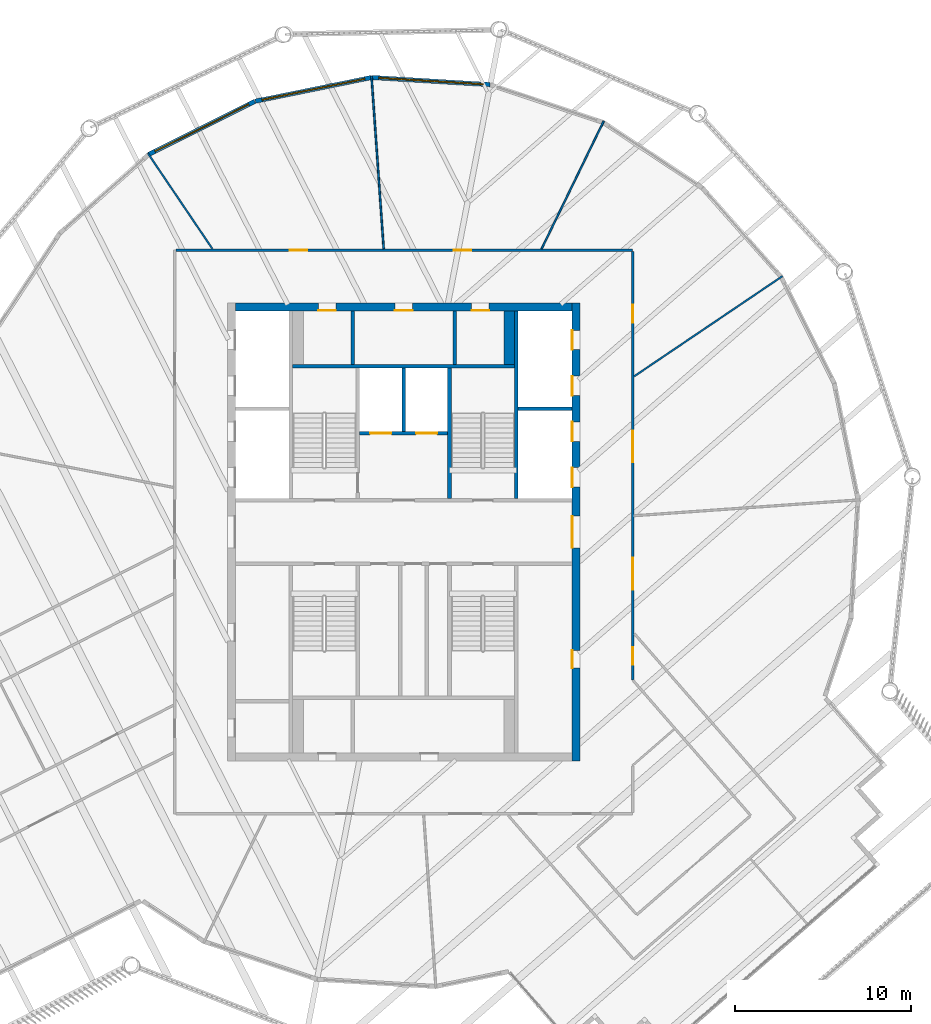
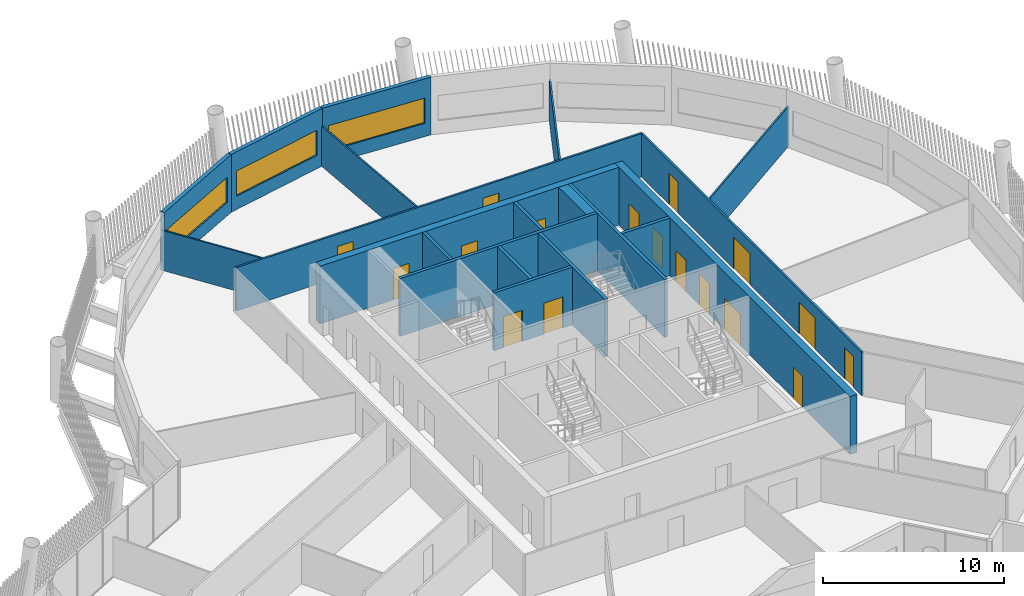
# One storey, part 20 of 28: 20 walls, 17 doors, 3 windows, 20 openings.
"""IFC4 building model written with IfcOpenShell, lengths in metres."""

import ifcopenshell
import ifcopenshell.guid

model = None  # the IFC model being written
_history = None  # IfcOwnerHistory: only IFC2X3 demands one
_inside = {}  # id of a spatial element -> (the spatial element, [elements in it])
_under = {}  # id of a project, library or spatial element -> (it, [spatial elements below it])
_declared = {}  # id of a project -> (the project, [libraries it declares])
_typed = {}  # id of a type object -> (the type object, [elements of that type])
_made_of = {}  # id of a material, layer set ... -> (it, [elements and type objects made of it])


def new_model(schema):
    """Start an empty IFC model of exactly this schema.

    Asked for "IFC4X3", IfcOpenShell would pick the latest addendum, in which some entities
    have other attributes; the version numbers below select the first issue.
    IFC2X3 requires an IfcOwnerHistory on every rooted entity: one is made here for all.
    """
    global model, _history
    if schema == "IFC4X3":
        model = ifcopenshell.file(schema_version=(4, 3, 0, 0))
    else:
        model = ifcopenshell.file(schema=schema)
    _inside.clear()
    _under.clear()
    _declared.clear()
    _typed.clear()
    _made_of.clear()
    _history = None
    if model.schema == "IFC2X3":
        org = make("IfcOrganization", Name="unknown")
        user = make(
            "IfcPersonAndOrganization",
            ThePerson=make("IfcPerson", FamilyName="unknown"),
            TheOrganization=org,
        )
        app = make(
            "IfcApplication",
            ApplicationDeveloper=org,
            Version="unknown",
            ApplicationFullName="unknown",
            ApplicationIdentifier="unknown",
        )
        _history = make(
            "IfcOwnerHistory",
            OwningUser=user,
            OwningApplication=app,
            ChangeAction="ADDED",
            CreationDate=0,
        )
    return model


def make(cls, **values):
    """One entity of the class cls with the attributes given. An attribute that is None is left unset."""
    return model.create_entity(
        cls, **{name: value for name, value in values.items() if value is not None}
    )


def rooted(cls, **values):
    """An entity with a GlobalId (a new one), such as an element, a storey or a relation."""
    return make(cls, GlobalId=ifcopenshell.guid.new(), OwnerHistory=_history, **values)


def si_unit(unit_type, name, prefix=None):
    """IfcSIUnit, for example si_unit("LENGTHUNIT", "METRE", prefix="MILLI")."""
    return make("IfcSIUnit", UnitType=unit_type, Prefix=prefix, Name=name)


def assignment(units):
    """IfcUnitAssignment: the units of a project."""
    return None if units is None else make("IfcUnitAssignment", Units=units)


def point(xyz):
    """IfcCartesianPoint."""
    return None if xyz is None else make("IfcCartesianPoint", Coordinates=xyz)


def direction(xyz):
    """IfcDirection."""
    return None if xyz is None else make("IfcDirection", DirectionRatios=xyz)


def frame(location, z_axis=None, x_axis=None):
    """IfcAxis2Placement3D, a coordinate frame: its origin and axes. An axis left out is left unset."""
    return make(
        "IfcAxis2Placement3D",
        Location=point(location),
        Axis=direction(z_axis),
        RefDirection=direction(x_axis),
    )


def frame_2d(location, x_axis=None):
    """IfcAxis2Placement2D, a coordinate frame in the plane: its origin and x axis."""
    return make(
        "IfcAxis2Placement2D", Location=point(location), RefDirection=direction(x_axis)
    )


def origin():
    """The frame at (0, 0, 0) with its axes left unset."""
    return frame((0.0, 0.0, 0.0))


def place(relative_to, where):
    """IfcLocalPlacement: puts the frame where relative to a parent placement (None: the world)."""
    return make(
        "IfcLocalPlacement", PlacementRelTo=relative_to, RelativePlacement=where
    )


def context(
    kind, dimensions, precision=None, world=None, true_north=None, identifier=None
):
    """IfcGeometricRepresentationContext, for example the 3D "Model" context."""
    return make(
        "IfcGeometricRepresentationContext",
        ContextIdentifier=identifier,
        ContextType=kind,
        CoordinateSpaceDimension=dimensions,
        Precision=precision,
        WorldCoordinateSystem=world,
        TrueNorth=true_north,
    )


def subcontext(parent, identifier, kind, view, scale=None):
    """IfcGeometricRepresentationSubContext, for example "Body" below "Model"."""
    return make(
        "IfcGeometricRepresentationSubContext",
        ContextIdentifier=identifier,
        ContextType=kind,
        ParentContext=parent,
        TargetScale=scale,
        TargetView=view,
    )


def project(units=None, contexts=None):
    """IfcProject with its units and contexts."""
    return rooted(
        "IfcProject",
        Name="project",
        RepresentationContexts=contexts,
        UnitsInContext=assignment(units),
    )


def spatial(cls, under=None, at=None, **own):
    """A site, building, storey or space (cls), placed at a placement, below another one or the project."""
    s = rooted(cls, ObjectPlacement=at, **own)
    if under is not None:
        _under.setdefault(under.id(), (under, []))[1].append(s)
    return s


def profile(cls, at=None, kind="AREA", **sizes):
    """A parametric profile (cls). Its sizes go by their IFC names, for example OverallWidth=200.0."""
    return make(cls, ProfileType=kind, Position=at, **sizes)


def rectangle(**sizes):
    """IfcRectangleProfileDef."""
    return profile("IfcRectangleProfileDef", **sizes)


def extrude(swept, where, along, depth):
    """IfcExtrudedAreaSolid: the profile swept, set in the frame where, extruded along a direction by depth."""
    return make(
        "IfcExtrudedAreaSolid",
        SweptArea=swept,
        Position=where,
        ExtrudedDirection=direction(along),
        Depth=depth,
    )


def shape(context_of_items, identifier, shape_type, items):
    """IfcShapeRepresentation: the items that make up one representation, for example the "Body"."""
    return make(
        "IfcShapeRepresentation",
        ContextOfItems=context_of_items,
        RepresentationIdentifier=identifier,
        RepresentationType=shape_type,
        Items=items,
    )


def material(Name=None, Category=None):
    """IfcMaterial."""
    return make("IfcMaterial", Name=Name, Category=Category)


def layer(
    of_material, thickness, ventilated=None, Name=None, Category=None, Priority=None
):
    """IfcMaterialLayer: one layer of a wall or slab, of a material (None: an air gap)."""
    return make(
        "IfcMaterialLayer",
        Material=of_material,
        LayerThickness=thickness,
        IsVentilated=ventilated,
        Name=Name,
        Category=Category,
        Priority=Priority,
    )


def layer_set(layers, Name=None):
    """IfcMaterialLayerSet."""
    return make("IfcMaterialLayerSet", MaterialLayers=layers, LayerSetName=Name)


def made_of(thing, what):
    """Note that an element or type object is made of a material, layer set ...; save() writes the relation."""
    if what is not None:
        _made_of.setdefault(what.id(), (what, []))[1].append(thing)
    return thing


def type_object(cls, material=None, **own):
    """A type object (cls), such as IfcWallType, which elements share."""
    return made_of(rooted(cls, **own), material)


def element(
    cls,
    number,
    at=None,
    inside=None,
    cuts=None,
    type_object=None,
    material=None,
    context=None,
    identifier="Body",
    shape_type=None,
    held_by="IfcProductDefinitionShape",
    body=None,
    shapes=None,
    **own,
):
    """One element of the class cls, such as IfcWall. Its Tag is "e" and its number.

    at: its placement. inside: the storey or other place that contains it. cuts: it is an
    opening in that element (IfcRelVoidsElement). A single representation is given by context,
    identifier, shape_type and body (its items); several are given by shapes. held_by: the class
    of the entity that holds the representations. save() writes the other relations.
    """
    e = rooted(cls, Tag="e%d" % number, ObjectPlacement=at, **own)
    if body is not None:
        shapes = [shape(context, identifier, shape_type, body)]
    if shapes is not None:
        e.Representation = make(held_by, Representations=shapes)
    if inside is not None:
        _inside.setdefault(inside.id(), (inside, []))[1].append(e)
    if cuts is not None:
        rooted(
            "IfcRelVoidsElement", RelatingBuildingElement=cuts, RelatedOpeningElement=e
        )
    if type_object is not None:
        _typed.setdefault(type_object.id(), (type_object, []))[1].append(e)
    return made_of(e, material)


def fill(opening, filler):
    """IfcRelFillsElement: the door or window that sits in an opening."""
    return rooted(
        "IfcRelFillsElement",
        RelatingOpeningElement=opening,
        RelatedBuildingElement=filler,
    )


def aggregate(whole, parts):
    """IfcRelAggregates: a whole, such as a stair, and the parts it consists of."""
    return rooted("IfcRelAggregates", RelatingObject=whole, RelatedObjects=parts)


def save(model, path):
    """Write the relations noted so far, then the file.

    IfcRelAggregates (storeys below a building ...), IfcRelContainedInSpatialStructure (elements
    in a storey), IfcRelDefinesByType, IfcRelAssociatesMaterial and IfcRelDeclares: one each for
    every whole, place, type object, material and project.
    """
    for whole, parts in _under.values():
        aggregate(whole, parts)
    for where, things in _inside.values():
        rooted(
            "IfcRelContainedInSpatialStructure",
            RelatedElements=things,
            RelatingStructure=where,
        )
    for kind, things in _typed.values():
        rooted("IfcRelDefinesByType", RelatedObjects=things, RelatingType=kind)
    for what, things in _made_of.values():
        rooted("IfcRelAssociatesMaterial", RelatedObjects=things, RelatingMaterial=what)
    for by, libraries in _declared.values():
        rooted("IfcRelDeclares", RelatingContext=by, RelatedDefinitions=libraries)
    model.write(path)


model = new_model("IFC4")

# Units and contexts
model_context = context("Model", 3, precision=1e-05, world=origin(), true_north=direction((0.0, 1.0)))
body_context = subcontext(model_context, "Body", "Model", "MODEL_VIEW")
ifc_project = project(units=[si_unit("LENGTHUNIT", "METRE"), si_unit("AREAUNIT", "SQUARE_METRE"), si_unit("VOLUMEUNIT", "CUBIC_METRE"), si_unit("PLANEANGLEUNIT", "RADIAN"), si_unit("MASSUNIT", "GRAM", prefix="KILO")], contexts=[model_context])

# Site, building, storey
site_placement = place(None, origin())
site = spatial("IfcSite", under=ifc_project, at=site_placement, CompositionType="ELEMENT")
building_placement = place(site_placement, origin())
building = spatial("IfcBuilding", under=site, at=building_placement, Name="Tarsis Ring Headquarters", CompositionType="ELEMENT")
storey_placement = place(building_placement, frame((0.0, 0.0, 394.39990234375)))
storey = spatial("IfcBuildingStorey", under=building, at=storey_placement, Name="L93", CompositionType="ELEMENT", Elevation=394.39990234375)

# Walls
ifc_material_1 = material(Name="Blockwork", Category="masonry")
ifc_layer_1 = layer(ifc_material_1, 0.199951171875)
ifc_layer_set_1 = layer_set([ifc_layer_1], Name="Core blockwork wall 200")
wall_type_1 = type_object("IfcWallType", Name="Core blockwork wall 200", PredefinedType="PARTITIONING", material=ifc_layer_set_1)
for number, where, z_axis, x_axis, name in (
    (1, (-2.89990234375, 9.5, 0.0), (0.0, 0.0, 1.0), (0.0, 1.0, 0.0), "Core partition ND1"),
    (2, (2.89990234375, 9.5, 0.0), (0.0, 0.0, 1.0), (0.0, 1.0, 0.0), "Core partition ND3"),
):
    element("IfcWall", number, at=place(storey_placement, frame(where, z_axis=z_axis, x_axis=x_axis)), inside=storey, type_object=wall_type_1, Name=name, PredefinedType="PARTITIONING", context=body_context, shape_type="SweptSolid", body=[
        extrude(rectangle(XDim=3.050048828125, YDim=0.199951171875, at=frame_2d((1.52490234375, 0.0))), origin(), (0.0, 0.0, 1.0), 3.900146484375),
    ])

# Wall, openings, doors
ifc_material_2 = material(Name="Concrete C50/60", Category="concrete")
ifc_layer_2 = layer(ifc_material_2, 0.449951171875)
ifc_layer_set_2 = layer_set([ifc_layer_2], Name="Core wall 450 C50/60")
wall_type_2 = type_object("IfcWallType", Name="Core wall 450 C50/60", PredefinedType="SHEAR", material=ifc_layer_set_2)
wall_1_placement = place(storey_placement, frame((9.77490234375, -13.0, 0.0), z_axis=(0.0, 0.0, 1.0), x_axis=(0.0, 1.0, 0.0)))
wall_1 = element("IfcWall", 3, at=wall_1_placement, inside=storey, type_object=wall_type_2, Name="Core wall OE", PredefinedType="SHEAR", context=body_context, shape_type="SweptSolid", body=[
    extrude(rectangle(XDim=26.0, YDim=0.449951171875, at=frame_2d((13.0, 0.0))), origin(), (0.0, 0.0, 1.0), 3.900146484375),
])
opening_1_placement = place(wall_1_placement, frame((5.27490234375, 0.0, 0.0)))
opening_1 = element("IfcOpeningElement", 4, at=opening_1_placement, cuts=wall_1, Name="Opening L93-C08", PredefinedType="OPENING", context=body_context, shape_type="SweptSolid", body=[
    extrude(rectangle(XDim=1.0, YDim=2.10009765625, at=frame_2d((0.5, 1.050048828125))), frame((0.0, 0.23486328125, 0.0), z_axis=(0.0, -1.0, 0.0), x_axis=(1.0, 0.0, 0.0)), (0.0, 0.0, 1.0), 0.469970703125),
])
opening_2_placement = place(wall_1_placement, frame((12.10009765625, 0.0, 0.0)))
opening_2 = element("IfcOpeningElement", 5, at=opening_2_placement, cuts=wall_1, Name="Opening L93-C09", PredefinedType="OPENING", context=body_context, shape_type="SweptSolid", body=[
    extrude(rectangle(XDim=1.800048828125, YDim=2.10009765625, at=frame_2d((0.89990234375, 1.050048828125))), frame((0.0, 0.23486328125, 0.0), z_axis=(0.0, -1.0, 0.0), x_axis=(1.0, 0.0, 0.0)), (0.0, 0.0, 1.0), 0.469970703125),
])
opening_3_placement = place(wall_1_placement, frame((15.550048828125, 0.0, 0.0)))
opening_3 = element("IfcOpeningElement", 6, at=opening_3_placement, cuts=wall_1, Name="Opening LD-HR5", PredefinedType="OPENING", context=body_context, shape_type="SweptSolid", body=[
    extrude(rectangle(XDim=1.10009765625, YDim=2.10009765625, at=frame_2d((0.550048828125, 1.050048828125))), frame((0.0, 0.23486328125, 0.0), z_axis=(0.0, -1.0, 0.0), x_axis=(1.0, 0.0, 0.0)), (0.0, 0.0, 1.0), 0.469970703125),
])
opening_4_placement = place(wall_1_placement, frame((18.14990234375, 0.0, 0.0)))
opening_4 = element("IfcOpeningElement", 7, at=opening_4_placement, cuts=wall_1, Name="Opening LD-HR6", PredefinedType="OPENING", context=body_context, shape_type="SweptSolid", body=[
    extrude(rectangle(XDim=1.10009765625, YDim=2.10009765625, at=frame_2d((0.550048828125, 1.050048828125))), frame((0.0, 0.23486328125, 0.0), z_axis=(0.0, -1.0, 0.0), x_axis=(1.0, 0.0, 0.0)), (0.0, 0.0, 1.0), 0.469970703125),
])
opening_5_placement = place(wall_1_placement, frame((20.75, 0.0, 0.0)))
opening_5 = element("IfcOpeningElement", 8, at=opening_5_placement, cuts=wall_1, Name="Opening LD-HR7", PredefinedType="OPENING", context=body_context, shape_type="SweptSolid", body=[
    extrude(rectangle(XDim=1.10009765625, YDim=2.10009765625, at=frame_2d((0.550048828125, 1.050048828125))), frame((0.0, 0.23486328125, 0.0), z_axis=(0.0, -1.0, 0.0), x_axis=(1.0, 0.0, 0.0)), (0.0, 0.0, 1.0), 0.469970703125),
])
opening_6_placement = place(wall_1_placement, frame((23.35009765625, 0.0, 0.0)))
opening_6 = element("IfcOpeningElement", 9, at=opening_6_placement, cuts=wall_1, Name="Opening LD-HR8", PredefinedType="OPENING", context=body_context, shape_type="SweptSolid", body=[
    extrude(rectangle(XDim=1.10009765625, YDim=2.10009765625, at=frame_2d((0.550048828125, 1.050048828125))), frame((0.0, 0.23486328125, 0.0), z_axis=(0.0, -1.0, 0.0), x_axis=(1.0, 0.0, 0.0)), (0.0, 0.0, 1.0), 0.469970703125),
])
ifc_material_3 = material(Name="Steel S355", Category="steel")
door_type_1 = type_object("IfcDoorType", Name="Core entry door 1800x2100", OperationType="DOUBLE_DOOR_SINGLE_SWING", PredefinedType="DOOR", material=ifc_material_3)
door_1_placement = place(opening_2_placement, origin())
door_1 = element("IfcDoor", 10, at=door_1_placement, inside=storey, type_object=door_type_1, Name="Core entry door L93", OperationType="DOUBLE_DOOR_SINGLE_SWING", OverallHeight=2.10009765625, OverallWidth=1.800048828125, PredefinedType="DOOR", context=body_context, shape_type="SweptSolid", body=[
    extrude(rectangle(XDim=1.800048828125, YDim=2.10009765625, at=frame_2d((0.89990234375, 1.050048828125))), frame((0.0, 0.22509765625, 0.0), z_axis=(0.0, -1.0, 0.0), x_axis=(1.0, 0.0, 0.0)), (0.0, 0.0, 1.0), 0.050048828125),
])
fill(opening_2, door_1)
door_type_2 = type_object("IfcDoorType", Name="Core room door 1000x2100", OperationType="SINGLE_SWING_LEFT", PredefinedType="DOOR", material=ifc_material_3)
door_2_placement = place(opening_1_placement, origin())
door_2 = element("IfcDoor", 11, at=door_2_placement, inside=storey, type_object=door_type_2, Name="Core room door L93", OperationType="SINGLE_SWING_LEFT", OverallHeight=2.10009765625, OverallWidth=1.0, PredefinedType="DOOR", context=body_context, shape_type="SweptSolid", body=[
    extrude(rectangle(XDim=1.0, YDim=2.10009765625, at=frame_2d((0.5, 1.050048828125))), frame((0.0, 0.22509765625, 0.0), z_axis=(0.0, -1.0, 0.0), x_axis=(1.0, 0.0, 0.0)), (0.0, 0.0, 1.0), 0.050048828125),
])
fill(opening_1, door_2)
door_type_3 = type_object("IfcDoorType", Name="Landing door 1100x2100", OperationType="SLIDING_TO_LEFT", PredefinedType="DOOR", material=ifc_material_3)
door_3_placement = place(opening_3_placement, origin())
door_3 = element("IfcDoor", 12, at=door_3_placement, inside=storey, type_object=door_type_3, Name="Landing door HR5 L93", OperationType="SLIDING_TO_LEFT", OverallHeight=2.10009765625, OverallWidth=1.10009765625, PredefinedType="DOOR", context=body_context, shape_type="SweptSolid", body=[
    extrude(rectangle(XDim=1.10009765625, YDim=2.10009765625, at=frame_2d((0.550048828125, 1.050048828125))), frame((0.0, 0.22509765625, 0.0), z_axis=(0.0, -1.0, 0.0), x_axis=(1.0, 0.0, 0.0)), (0.0, 0.0, 1.0), 0.050048828125),
])
fill(opening_3, door_3)
door_4_placement = place(opening_4_placement, origin())
door_4 = element("IfcDoor", 13, at=door_4_placement, inside=storey, type_object=door_type_3, Name="Landing door HR6 L93", OperationType="SLIDING_TO_LEFT", OverallHeight=2.10009765625, OverallWidth=1.10009765625, PredefinedType="DOOR", context=body_context, shape_type="SweptSolid", body=[
    extrude(rectangle(XDim=1.10009765625, YDim=2.10009765625, at=frame_2d((0.550048828125, 1.050048828125))), frame((0.0, 0.22509765625, 0.0), z_axis=(0.0, -1.0, 0.0), x_axis=(1.0, 0.0, 0.0)), (0.0, 0.0, 1.0), 0.050048828125),
])
fill(opening_4, door_4)
door_5_placement = place(opening_5_placement, origin())
door_5 = element("IfcDoor", 14, at=door_5_placement, inside=storey, type_object=door_type_3, Name="Landing door HR7 L93", OperationType="SLIDING_TO_LEFT", OverallHeight=2.10009765625, OverallWidth=1.10009765625, PredefinedType="DOOR", context=body_context, shape_type="SweptSolid", body=[
    extrude(rectangle(XDim=1.10009765625, YDim=2.10009765625, at=frame_2d((0.550048828125, 1.050048828125))), frame((0.0, 0.22509765625, 0.0), z_axis=(0.0, -1.0, 0.0), x_axis=(1.0, 0.0, 0.0)), (0.0, 0.0, 1.0), 0.050048828125),
])
fill(opening_5, door_5)
door_6_placement = place(opening_6_placement, origin())
door_6 = element("IfcDoor", 15, at=door_6_placement, inside=storey, type_object=door_type_3, Name="Landing door HR8 L93", OperationType="SLIDING_TO_LEFT", OverallHeight=2.10009765625, OverallWidth=1.10009765625, PredefinedType="DOOR", context=body_context, shape_type="SweptSolid", body=[
    extrude(rectangle(XDim=1.10009765625, YDim=2.10009765625, at=frame_2d((0.550048828125, 1.050048828125))), frame((0.0, 0.22509765625, 0.0), z_axis=(0.0, -1.0, 0.0), x_axis=(1.0, 0.0, 0.0)), (0.0, 0.0, 1.0), 0.050048828125),
])
fill(opening_6, door_6)

wall_2_placement = place(storey_placement, frame((-9.550048828125, 12.77490234375, 0.0), z_axis=(0.0, 0.0, 1.0), x_axis=(1.0, 0.0, 0.0)))
wall_2 = element("IfcWall", 16, at=wall_2_placement, inside=storey, type_object=wall_type_2, Name="Core wall ON", PredefinedType="SHEAR", context=body_context, shape_type="SweptSolid", body=[
    extrude(rectangle(XDim=19.10009765625, YDim=0.449951171875, at=frame_2d((9.550048828125, 0.0))), origin(), (0.0, 0.0, 1.0), 3.900146484375),
])
opening_7_placement = place(wall_2_placement, frame((4.699951171875, 0.0, 0.0)))
opening_7 = element("IfcOpeningElement", 17, at=opening_7_placement, cuts=wall_2, Name="Opening L93-C14", PredefinedType="OPENING", context=body_context, shape_type="SweptSolid", body=[
    extrude(rectangle(XDim=1.0, YDim=2.10009765625, at=frame_2d((0.5, 1.050048828125))), frame((0.0, 0.23486328125, 0.0), z_axis=(0.0, -1.0, 0.0), x_axis=(1.0, 0.0, 0.0)), (0.0, 0.0, 1.0), 0.469970703125),
])
opening_8_placement = place(wall_2_placement, frame((9.050048828125, 0.0, 0.0)))
opening_8 = element("IfcOpeningElement", 18, at=opening_8_placement, cuts=wall_2, Name="Opening L93-C15", PredefinedType="OPENING", context=body_context, shape_type="SweptSolid", body=[
    extrude(rectangle(XDim=1.0, YDim=2.10009765625, at=frame_2d((0.5, 1.050048828125))), frame((0.0, 0.23486328125, 0.0), z_axis=(0.0, -1.0, 0.0), x_axis=(1.0, 0.0, 0.0)), (0.0, 0.0, 1.0), 0.469970703125),
])
opening_9_placement = place(wall_2_placement, frame((13.39990234375, 0.0, 0.0)))
opening_9 = element("IfcOpeningElement", 19, at=opening_9_placement, cuts=wall_2, Name="Opening L93-C16", PredefinedType="OPENING", context=body_context, shape_type="SweptSolid", body=[
    extrude(rectangle(XDim=1.0, YDim=2.10009765625, at=frame_2d((0.5, 1.050048828125))), frame((0.0, 0.23486328125, 0.0), z_axis=(0.0, -1.0, 0.0), x_axis=(1.0, 0.0, 0.0)), (0.0, 0.0, 1.0), 0.469970703125),
])
door_7_placement = place(opening_7_placement, origin())
door_7 = element("IfcDoor", 20, at=door_7_placement, inside=storey, type_object=door_type_2, Name="Core room door L93", OperationType="SINGLE_SWING_LEFT", OverallHeight=2.10009765625, OverallWidth=1.0, PredefinedType="DOOR", context=body_context, shape_type="SweptSolid", body=[
    extrude(rectangle(XDim=1.0, YDim=2.10009765625, at=frame_2d((0.5, 1.050048828125))), frame((0.0, -0.1748046875, 0.0), z_axis=(0.0, -1.0, 0.0), x_axis=(1.0, 0.0, 0.0)), (0.0, 0.0, 1.0), 0.050048828125),
])
fill(opening_7, door_7)
door_8_placement = place(opening_8_placement, origin())
door_8 = element("IfcDoor", 21, at=door_8_placement, inside=storey, type_object=door_type_2, Name="Core room door L93", OperationType="SINGLE_SWING_LEFT", OverallHeight=2.10009765625, OverallWidth=1.0, PredefinedType="DOOR", context=body_context, shape_type="SweptSolid", body=[
    extrude(rectangle(XDim=1.0, YDim=2.10009765625, at=frame_2d((0.5, 1.050048828125))), frame((0.0, -0.1748046875, 0.0), z_axis=(0.0, -1.0, 0.0), x_axis=(1.0, 0.0, 0.0)), (0.0, 0.0, 1.0), 0.050048828125),
])
fill(opening_8, door_8)
door_9_placement = place(opening_9_placement, origin())
door_9 = element("IfcDoor", 22, at=door_9_placement, inside=storey, type_object=door_type_2, Name="Core room door L93", OperationType="SINGLE_SWING_LEFT", OverallHeight=2.10009765625, OverallWidth=1.0, PredefinedType="DOOR", context=body_context, shape_type="SweptSolid", body=[
    extrude(rectangle(XDim=1.0, YDim=2.10009765625, at=frame_2d((0.5, 1.050048828125))), frame((0.0, -0.1748046875, 0.0), z_axis=(0.0, -1.0, 0.0), x_axis=(1.0, 0.0, 0.0)), (0.0, 0.0, 1.0), 0.050048828125),
])
fill(opening_9, door_9)

# Walls
ifc_material_4 = material(Name="Gypsum board on steel studs", Category="steel")
ifc_layer_3 = layer(ifc_material_4, 0.10009765625)
ifc_layer_set_3 = layer_set([ifc_layer_3], Name="FL partition 100 unrated")
wall_type_3 = type_object("IfcWallType", Name="FL partition 100 unrated", PredefinedType="PARTITIONING", material=ifc_layer_set_3)
wall_3_placement = place(storey_placement, frame((13.0830078125, 8.837890625, 0.0), z_axis=(0.0, 0.0, 1.0), x_axis=(0.828648317529, 0.55976956496, 0.0)))
element("IfcWall", 23, at=wall_3_placement, inside=storey, type_object=wall_type_3, Name="Partition PW3", PredefinedType="PARTITIONING", context=body_context, shape_type="SweptSolid", body=[
    extrude(rectangle(XDim=10.15966796875, YDim=0.10009765625, at=frame_2d((5.079833984375, 0.0))), origin(), (0.0, 0.0, 1.0), 2.7001953125),
])
wall_4_placement = place(storey_placement, frame((-1.828125, 25.88330078125, 0.0), z_axis=(0.0, 0.0, 1.0), x_axis=(0.070453410456, -0.997515071042, 0.0)))
element("IfcWall", 24, at=wall_4_placement, inside=storey, type_object=wall_type_3, Name="Partition PW3", PredefinedType="PARTITIONING", context=body_context, shape_type="SweptSolid", body=[
    extrude(rectangle(XDim=9.837890625, YDim=0.10009765625, at=frame_2d((4.9189453125, 0.0))), origin(), (0.0, 0.0, 1.0), 2.7001953125),
])
wall_5_placement = place(storey_placement, frame((7.824951171875, 16.072021484375, 0.0), z_axis=(0.0, 0.0, 1.0), x_axis=(0.437740014121, 0.89910159606, 0.0)))
element("IfcWall", 25, at=wall_5_placement, inside=storey, type_object=wall_type_3, Name="Partition PW3", PredefinedType="PARTITIONING", context=body_context, shape_type="SweptSolid", body=[
    extrude(rectangle(XDim=8.072021484375, YDim=0.10009765625, at=frame_2d((4.0361328125, 0.0))), origin(), (0.0, 0.0, 1.0), 2.7001953125),
])
wall_6_placement = place(storey_placement, frame((-14.52490234375, 21.501708984375, 0.0), z_axis=(0.0, 0.0, 1.0), x_axis=(0.559764575651, -0.828651687892, 0.0)))
element("IfcWall", 26, at=wall_6_placement, inside=storey, type_object=wall_type_3, Name="Partition PW3", PredefinedType="PARTITIONING", context=body_context, shape_type="SweptSolid", body=[
    extrude(rectangle(XDim=6.5390625, YDim=0.10009765625, at=frame_2d((3.26953125, 0.0))), origin(), (0.0, 0.0, 1.0), 2.7001953125),
])

# Wall, openings, doors
ifc_layer_4 = layer(ifc_material_4, 0.125)
ifc_layer_set_4 = layer_set([ifc_layer_4], Name="FL partition 125 EI 60 H2930")
wall_type_4 = type_object("IfcWallType", Name="FL partition 125 EI 60 H2930", PredefinedType="PARTITIONING", material=ifc_layer_set_4)
wall_7_placement = place(storey_placement, frame((-12.93994140625, 16.0, 0.0), z_axis=(0.0, 0.0, 1.0), x_axis=(1.0, 0.0, 0.0)))
wall_7 = element("IfcWall", 27, at=wall_7_placement, inside=storey, type_object=wall_type_4, Name="Partition PW1H293", PredefinedType="PARTITIONING", context=body_context, shape_type="SweptSolid", body=[
    extrude(rectangle(XDim=25.93994140625, YDim=0.125, at=frame_2d((12.969970703125, 0.0))), origin(), (0.0, 0.0, 1.0), 2.93017578125),
])
opening_10_placement = place(wall_7_placement, frame((6.470703125, 0.0, 0.0)))
opening_10 = element("IfcOpeningElement", 28, at=opening_10_placement, cuts=wall_7, Name="Opening D93.04", PredefinedType="OPENING", context=body_context, shape_type="SweptSolid", body=[
    extrude(rectangle(XDim=1.0, YDim=2.10009765625, at=frame_2d((0.5, 1.050048828125))), frame((0.0, 0.072509765625, 0.0), z_axis=(0.0, -1.0, 0.0), x_axis=(1.0, 0.0, 0.0)), (0.0, 0.0, 1.0), 0.14501953125),
])
opening_11_placement = place(wall_7_placement, frame((15.77001953125, 0.0, 0.0)))
opening_11 = element("IfcOpeningElement", 29, at=opening_11_placement, cuts=wall_7, Name="Opening D93.05", PredefinedType="OPENING", context=body_context, shape_type="SweptSolid", body=[
    extrude(rectangle(XDim=1.0, YDim=2.10009765625, at=frame_2d((0.5, 1.050048828125))), frame((0.0, 0.072509765625, 0.0), z_axis=(0.0, -1.0, 0.0), x_axis=(1.0, 0.0, 0.0)), (0.0, 0.0, 1.0), 0.14501953125),
])
ifc_material_5 = material(Name="Fire-rated timber door leaf in steel frame", Category="steel")
door_type_4 = type_object("IfcDoorType", Name="FL door FD60-1000", OperationType="NOTDEFINED", PredefinedType="DOOR", material=ifc_material_5)
door_10_placement = place(opening_10_placement, origin())
door_10 = element("IfcDoor", 30, at=door_10_placement, inside=storey, type_object=door_type_4, Name="Door D93.04", OperationType="SINGLE_SWING_LEFT", OverallHeight=2.10009765625, OverallWidth=1.0, PredefinedType="DOOR", context=body_context, shape_type="SweptSolid", body=[
    extrude(rectangle(XDim=1.0, YDim=2.10009765625, at=frame_2d((0.5, 1.050048828125))), frame((0.0, 0.02490234375, 0.0), z_axis=(0.0, -1.0, 0.0), x_axis=(1.0, 0.0, 0.0)), (0.0, 0.0, 1.0), 0.050048828125),
])
fill(opening_10, door_10)
door_11_placement = place(opening_11_placement, origin())
door_11 = element("IfcDoor", 31, at=door_11_placement, inside=storey, type_object=door_type_4, Name="Door D93.05", OperationType="SINGLE_SWING_RIGHT", OverallHeight=2.10009765625, OverallWidth=1.0, PredefinedType="DOOR", context=body_context, shape_type="SweptSolid", body=[
    extrude(rectangle(XDim=1.0, YDim=2.10009765625, at=frame_2d((0.5, 1.050048828125))), frame((0.0, 0.02490234375, 0.0), z_axis=(0.0, -1.0, 0.0), x_axis=(1.0, 0.0, 0.0)), (0.0, 0.0, 1.0), 0.050048828125),
])
fill(opening_11, door_11)

wall_8_placement = place(storey_placement, frame((13.0, -8.39990234375, 0.0), z_axis=(0.0, 0.0, 1.0), x_axis=(0.0, 1.0, 0.0)))
wall_8 = element("IfcWall", 32, at=wall_8_placement, inside=storey, type_object=wall_type_4, Name="Partition PW1H293", PredefinedType="PARTITIONING", context=body_context, shape_type="SweptSolid", body=[
    extrude(rectangle(XDim=24.33984375, YDim=0.125, at=frame_2d((12.169921875, 0.0))), origin(), (0.0, 0.0, 1.0), 2.93017578125),
])
opening_12_placement = place(wall_8_placement, frame((20.290771484375, 0.0, 0.0)))
opening_12 = element("IfcOpeningElement", 33, at=opening_12_placement, cuts=wall_8, Name="Opening D93.06", PredefinedType="OPENING", context=body_context, shape_type="SweptSolid", body=[
    extrude(rectangle(XDim=1.0, YDim=2.10009765625, at=frame_2d((0.5, 1.050048828125))), frame((0.0, 0.072509765625, 0.0), z_axis=(0.0, -1.0, 0.0), x_axis=(1.0, 0.0, 0.0)), (0.0, 0.0, 1.0), 0.14501953125),
])
opening_13_placement = place(wall_8_placement, frame((12.349853515625, 0.0, 0.0)))
opening_13 = element("IfcOpeningElement", 34, at=opening_13_placement, cuts=wall_8, Name="Opening D93.07", PredefinedType="OPENING", context=body_context, shape_type="SweptSolid", body=[
    extrude(rectangle(XDim=1.800048828125, YDim=2.10009765625, at=frame_2d((0.89990234375, 1.050048828125))), frame((0.0, 0.072509765625, 0.0), z_axis=(0.0, -1.0, 0.0), x_axis=(1.0, 0.0, 0.0)), (0.0, 0.0, 1.0), 0.14501953125),
])
opening_14_placement = place(wall_8_placement, frame((5.129638671875, 0.0, 0.0)))
opening_14 = element("IfcOpeningElement", 35, at=opening_14_placement, cuts=wall_8, Name="Opening D93.08", PredefinedType="OPENING", context=body_context, shape_type="SweptSolid", body=[
    extrude(rectangle(XDim=1.800048828125, YDim=2.10009765625, at=frame_2d((0.89990234375, 1.050048828125))), frame((0.0, 0.072509765625, 0.0), z_axis=(0.0, -1.0, 0.0), x_axis=(1.0, 0.0, 0.0)), (0.0, 0.0, 1.0), 0.14501953125),
])
opening_15_placement = place(wall_8_placement, frame((0.87060546875, 0.0, 0.0)))
opening_15 = element("IfcOpeningElement", 36, at=opening_15_placement, cuts=wall_8, Name="Opening D93.16", PredefinedType="OPENING", context=body_context, shape_type="SweptSolid", body=[
    extrude(rectangle(XDim=1.0, YDim=2.10009765625, at=frame_2d((0.5, 1.050048828125))), frame((0.0, 0.072509765625, 0.0), z_axis=(0.0, -1.0, 0.0), x_axis=(1.0, 0.0, 0.0)), (0.0, 0.0, 1.0), 0.14501953125),
])
door_12_placement = place(opening_12_placement, origin())
door_12 = element("IfcDoor", 37, at=door_12_placement, inside=storey, type_object=door_type_4, Name="Door D93.06", OperationType="SINGLE_SWING_LEFT", OverallHeight=2.10009765625, OverallWidth=1.0, PredefinedType="DOOR", context=body_context, shape_type="SweptSolid", body=[
    extrude(rectangle(XDim=1.0, YDim=2.10009765625, at=frame_2d((0.5, 1.050048828125))), frame((0.0, 0.02490234375, 0.0), z_axis=(0.0, -1.0, 0.0), x_axis=(1.0, 0.0, 0.0)), (0.0, 0.0, 1.0), 0.050048828125),
])
fill(opening_12, door_12)
door_13_placement = place(opening_15_placement, origin())
door_13 = element("IfcDoor", 38, at=door_13_placement, inside=storey, type_object=door_type_4, Name="Door D93.16", OperationType="SINGLE_SWING_LEFT", OverallHeight=2.10009765625, OverallWidth=1.0, PredefinedType="DOOR", context=body_context, shape_type="SweptSolid", body=[
    extrude(rectangle(XDim=1.0, YDim=2.10009765625, at=frame_2d((0.5, 1.050048828125))), frame((0.0, 0.02490234375, 0.0), z_axis=(0.0, -1.0, 0.0), x_axis=(1.0, 0.0, 0.0)), (0.0, 0.0, 1.0), 0.050048828125),
])
fill(opening_15, door_13)
door_type_5 = type_object("IfcDoorType", Name="FL door FD60-1800", OperationType="DOUBLE_DOOR_SINGLE_SWING", PredefinedType="DOOR", material=ifc_material_5)
door_14_placement = place(opening_13_placement, origin())
door_14 = element("IfcDoor", 39, at=door_14_placement, inside=storey, type_object=door_type_5, Name="Door D93.07", OperationType="DOUBLE_DOOR_SINGLE_SWING", OverallHeight=2.10009765625, OverallWidth=1.800048828125, PredefinedType="DOOR", context=body_context, shape_type="SweptSolid", body=[
    extrude(rectangle(XDim=1.800048828125, YDim=2.10009765625, at=frame_2d((0.89990234375, 1.050048828125))), frame((0.0, 0.02490234375, 0.0), z_axis=(0.0, -1.0, 0.0), x_axis=(1.0, 0.0, 0.0)), (0.0, 0.0, 1.0), 0.050048828125),
])
fill(opening_13, door_14)
door_15_placement = place(opening_14_placement, origin())
door_15 = element("IfcDoor", 40, at=door_15_placement, inside=storey, type_object=door_type_5, Name="Door D93.08", OperationType="DOUBLE_DOOR_SINGLE_SWING", OverallHeight=2.10009765625, OverallWidth=1.800048828125, PredefinedType="DOOR", context=body_context, shape_type="SweptSolid", body=[
    extrude(rectangle(XDim=1.800048828125, YDim=2.10009765625, at=frame_2d((0.89990234375, 1.050048828125))), frame((0.0, 0.02490234375, 0.0), z_axis=(0.0, -1.0, 0.0), x_axis=(1.0, 0.0, 0.0)), (0.0, 0.0, 1.0), 0.050048828125),
])
fill(opening_14, door_15)

# Wall, opening, window
ifc_material_6 = material(Name="Terracotta clad insulated panel wall", Category="masonry")
ifc_layer_5 = layer(ifc_material_6, 0.25)
ifc_layer_set_5 = layer_set([ifc_layer_5], Name="Facade wall terracotta panel 250")
wall_type_5 = type_object("IfcWallType", Name="Facade wall terracotta panel 250", PredefinedType="STANDARD", material=ifc_layer_set_5)
wall_9_placement = place(storey_placement, frame((4.90283203125, 25.403076171875, 0.0), z_axis=(0.0, 0.0, 1.0), x_axis=(-0.99817838637, 0.060331658228, 0.0)))
wall_9 = element("IfcWall", 41, at=wall_9_placement, inside=storey, type_object=wall_type_5, Name="External wall L93-24", PredefinedType="STANDARD", context=body_context, shape_type="SweptSolid", body=[
    extrude(rectangle(XDim=6.721435546875, YDim=0.25, at=frame_2d((3.36083984375, 0.0))), origin(), (0.0, 0.0, 1.0), 3.900146484375),
])
opening_16_placement = place(wall_9_placement, frame((0.3857421875, 0.0, 0.89990234375)))
opening_16 = element("IfcOpeningElement", 42, at=opening_16_placement, cuts=wall_9, Name="Opening WN07", PredefinedType="OPENING", context=body_context, shape_type="SweptSolid", body=[
    extrude(rectangle(XDim=5.949951171875, YDim=1.699951171875, at=frame_2d((2.97509765625, 0.85009765625))), frame((0.0, 0.135009765625, 0.0), z_axis=(0.0, -1.0, 0.0), x_axis=(1.0, 0.0, 0.0)), (0.0, 0.0, 1.0), 0.27001953125),
])
ifc_material_7 = material(Name="Aluminium framed double glazing", Category="aluminium")
window_type = type_object("IfcWindowType", Name="Facade window 5950 x 1700", PartitioningType="SINGLE_PANEL", PredefinedType="WINDOW", material=ifc_material_7)
window_1_placement = place(opening_16_placement, origin())
window_1 = element("IfcWindow", 43, at=window_1_placement, inside=storey, type_object=window_type, Name="Window L93-24.1", OverallHeight=1.699951171875, OverallWidth=5.949951171875, PartitioningType="SINGLE_PANEL", PredefinedType="WINDOW", context=body_context, shape_type="SweptSolid", body=[
    extrude(rectangle(XDim=5.949951171875, YDim=1.699951171875, at=frame_2d((2.97509765625, 0.85009765625))), frame((0.0, 0.030029296875, 0.0), z_axis=(0.0, -1.0, 0.0), x_axis=(1.0, 0.0, 0.0)), (0.0, 0.0, 1.0), 0.06005859375),
])
fill(opening_16, window_1)

wall_10_placement = place(storey_placement, frame((-1.839111328125, 25.806396484375, 0.0), z_axis=(0.0, 0.0, 1.0), x_axis=(-0.979781977134, -0.200068181584, 0.0)))
wall_10 = element("IfcWall", 44, at=wall_10_placement, inside=storey, type_object=wall_type_5, Name="External wall L93-25", PredefinedType="STANDARD", context=body_context, shape_type="SweptSolid", body=[
    extrude(rectangle(XDim=6.721435546875, YDim=0.25, at=frame_2d((3.36083984375, 0.0))), origin(), (0.0, 0.0, 1.0), 3.900146484375),
])
opening_17_placement = place(wall_10_placement, frame((0.3857421875, 0.0, 0.89990234375)))
opening_17 = element("IfcOpeningElement", 45, at=opening_17_placement, cuts=wall_10, Name="Opening WN07", PredefinedType="OPENING", context=body_context, shape_type="SweptSolid", body=[
    extrude(rectangle(XDim=5.949951171875, YDim=1.699951171875, at=frame_2d((2.97509765625, 0.85009765625))), frame((0.0, 0.135009765625, 0.0), z_axis=(0.0, -1.0, 0.0), x_axis=(1.0, 0.0, 0.0)), (0.0, 0.0, 1.0), 0.27001953125),
])
window_2_placement = place(opening_17_placement, origin())
window_2 = element("IfcWindow", 46, at=window_2_placement, inside=storey, type_object=window_type, Name="Window L93-25.1", OverallHeight=1.699951171875, OverallWidth=5.949951171875, PartitioningType="SINGLE_PANEL", PredefinedType="WINDOW", context=body_context, shape_type="SweptSolid", body=[
    extrude(rectangle(XDim=5.949951171875, YDim=1.699951171875, at=frame_2d((2.97509765625, 0.85009765625))), frame((0.0, 0.030029296875, 0.0), z_axis=(0.0, -1.0, 0.0), x_axis=(1.0, 0.0, 0.0)), (0.0, 0.0, 1.0), 0.06005859375),
])
fill(opening_17, window_2)

wall_11_placement = place(storey_placement, frame((-8.45556640625, 24.450927734375, 0.0), z_axis=(0.0, 0.0, 1.0), x_axis=(-0.89463050615, -0.446806733908, 0.0)))
wall_11 = element("IfcWall", 47, at=wall_11_placement, inside=storey, type_object=wall_type_5, Name="External wall L93-26", PredefinedType="STANDARD", context=body_context, shape_type="SweptSolid", body=[
    extrude(rectangle(XDim=6.721435546875, YDim=0.25, at=frame_2d((3.36083984375, 0.0))), origin(), (0.0, 0.0, 1.0), 3.900146484375),
])
opening_18_placement = place(wall_11_placement, frame((0.3857421875, 0.0, 0.89990234375)))
opening_18 = element("IfcOpeningElement", 48, at=opening_18_placement, cuts=wall_11, Name="Opening WN07", PredefinedType="OPENING", context=body_context, shape_type="SweptSolid", body=[
    extrude(rectangle(XDim=5.949951171875, YDim=1.699951171875, at=frame_2d((2.97509765625, 0.85009765625))), frame((0.0, 0.135009765625, 0.0), z_axis=(0.0, -1.0, 0.0), x_axis=(1.0, 0.0, 0.0)), (0.0, 0.0, 1.0), 0.27001953125),
])
window_3_placement = place(opening_18_placement, origin())
window_3 = element("IfcWindow", 49, at=window_3_placement, inside=storey, type_object=window_type, Name="Window L93-26.1", OverallHeight=1.699951171875, OverallWidth=5.949951171875, PartitioningType="SINGLE_PANEL", PredefinedType="WINDOW", context=body_context, shape_type="SweptSolid", body=[
    extrude(rectangle(XDim=5.949951171875, YDim=1.699951171875, at=frame_2d((2.97509765625, 0.85009765625))), frame((0.0, 0.030029296875, 0.0), z_axis=(0.0, -1.0, 0.0), x_axis=(1.0, 0.0, 0.0)), (0.0, 0.0, 1.0), 0.06005859375),
])
fill(opening_18, window_3)

# Walls
ifc_material_8 = material(Name="Concrete C32/40", Category="concrete")
ifc_layer_6 = layer(ifc_material_8, 0.60009765625)
ifc_layer_set_6 = layer_set([ifc_layer_6], Name="Shaft end wall 600 C32/40")
wall_type_6 = type_object("IfcWallType", Name="Shaft end wall 600 C32/40", PredefinedType="SOLIDWALL", material=ifc_layer_set_6)
wall_12_placement = place(storey_placement, frame((6.0, 9.5, 0.0), z_axis=(0.0, 0.0, 1.0), x_axis=(0.0, 1.0, 0.0)))
element("IfcWall", 50, at=wall_12_placement, inside=storey, type_object=wall_type_6, Name="Core shaft wall NNE2", PredefinedType="SOLIDWALL", context=body_context, shape_type="SweptSolid", body=[
    extrude(rectangle(XDim=3.050048828125, YDim=0.60009765625, at=frame_2d((1.52490234375, 0.0))), origin(), (0.0, 0.0, 1.0), 3.900146484375),
])
ifc_layer_7 = layer(ifc_material_8, 0.199951171875)
ifc_layer_set_7 = layer_set([ifc_layer_7], Name="Shaft wall 200 C32/40")
wall_type_7 = type_object("IfcWallType", Name="Shaft wall 200 C32/40", PredefinedType="SOLIDWALL", material=ifc_layer_set_7)
wall_13_placement = place(storey_placement, frame((6.39990234375, 1.89990234375, 0.0), z_axis=(0.0, 0.0, 1.0), x_axis=(0.0, 1.0, 0.0)))
element("IfcWall", 51, at=wall_13_placement, inside=storey, type_object=wall_type_7, Name="Core shaft wall EB2", PredefinedType="SOLIDWALL", context=body_context, shape_type="SweptSolid", body=[
    extrude(rectangle(XDim=10.650146484375, YDim=0.199951171875, at=frame_2d((5.3251953125, 0.0))), origin(), (0.0, 0.0, 1.0), 3.900146484375),
])
wall_14_placement = place(storey_placement, frame((-6.300048828125, 9.39990234375, 0.0), z_axis=(0.0, 0.0, 1.0), x_axis=(1.0, 0.0, 0.0)))
element("IfcWall", 52, at=wall_14_placement, inside=storey, type_object=wall_type_7, Name="Core shaft wall NB", PredefinedType="SOLIDWALL", context=body_context, shape_type="SweptSolid", body=[
    extrude(rectangle(XDim=12.60009765625, YDim=0.199951171875, at=frame_2d((6.300048828125, 0.0))), origin(), (0.0, 0.0, 1.0), 3.900146484375),
])
wall_15_placement = place(storey_placement, frame((2.60009765625, 1.89990234375, 0.0), z_axis=(0.0, 0.0, 1.0), x_axis=(0.0, 1.0, 0.0)))
element("IfcWall", 53, at=wall_15_placement, inside=storey, type_object=wall_type_7, Name="Core shaft wall SW2", PredefinedType="SOLIDWALL", context=body_context, shape_type="SweptSolid", body=[
    extrude(rectangle(XDim=7.400146484375, YDim=0.199951171875, at=frame_2d((3.7001953125, 0.0))), origin(), (0.0, 0.0, 1.0), 3.900146484375),
])

# Wall, openings, doors
wall_16_placement = place(storey_placement, frame((-2.5, 5.60009765625, 0.0), z_axis=(0.0, 0.0, 1.0), x_axis=(1.0, 0.0, 0.0)))
wall_16 = element("IfcWall", 54, at=wall_16_placement, inside=storey, type_object=wall_type_7, Name="Core shaft wall FFN", PredefinedType="SOLIDWALL", context=body_context, shape_type="SweptSolid", body=[
    extrude(rectangle(XDim=5.0, YDim=0.199951171875, at=frame_2d((2.5, 0.0))), origin(), (0.0, 0.0, 1.0), 3.900146484375),
])
opening_19_placement = place(wall_16_placement, frame((0.60009765625, 0.0, 0.0)))
opening_19 = element("IfcOpeningElement", 55, at=opening_19_placement, cuts=wall_16, Name="Opening LDF-1", PredefinedType="OPENING", context=body_context, shape_type="SweptSolid", body=[
    extrude(rectangle(XDim=1.199951171875, YDim=2.10009765625, at=frame_2d((0.60009765625, 1.050048828125))), frame((0.0, 0.10986328125, 0.0), z_axis=(0.0, -1.0, 0.0), x_axis=(1.0, 0.0, 0.0)), (0.0, 0.0, 1.0), 0.219970703125),
])
opening_20_placement = place(wall_16_placement, frame((3.199951171875, 0.0, 0.0)))
opening_20 = element("IfcOpeningElement", 56, at=opening_20_placement, cuts=wall_16, Name="Opening LDF-2", PredefinedType="OPENING", context=body_context, shape_type="SweptSolid", body=[
    extrude(rectangle(XDim=1.199951171875, YDim=2.10009765625, at=frame_2d((0.60009765625, 1.050048828125))), frame((0.0, 0.10986328125, 0.0), z_axis=(0.0, -1.0, 0.0), x_axis=(1.0, 0.0, 0.0)), (0.0, 0.0, 1.0), 0.219970703125),
])
door_type_6 = type_object("IfcDoorType", Name="Firefighting landing door 1200x2100", OperationType="SLIDING_TO_LEFT", PredefinedType="DOOR", material=ifc_material_3)
door_16_placement = place(opening_19_placement, origin())
door_16 = element("IfcDoor", 57, at=door_16_placement, inside=storey, type_object=door_type_6, Name="Landing door FF1 L93", OperationType="SLIDING_TO_LEFT", OverallHeight=2.10009765625, OverallWidth=1.199951171875, PredefinedType="DOOR", context=body_context, shape_type="SweptSolid", body=[
    extrude(rectangle(XDim=1.199951171875, YDim=2.10009765625, at=frame_2d((0.60009765625, 1.050048828125))), frame((0.0, 0.02490234375, 0.0), z_axis=(0.0, -1.0, 0.0), x_axis=(1.0, 0.0, 0.0)), (0.0, 0.0, 1.0), 0.050048828125),
])
fill(opening_19, door_16)
door_17_placement = place(opening_20_placement, origin())
door_17 = element("IfcDoor", 58, at=door_17_placement, inside=storey, type_object=door_type_6, Name="Landing door FF2 L93", OperationType="SLIDING_TO_LEFT", OverallHeight=2.10009765625, OverallWidth=1.199951171875, PredefinedType="DOOR", context=body_context, shape_type="SweptSolid", body=[
    extrude(rectangle(XDim=1.199951171875, YDim=2.10009765625, at=frame_2d((0.60009765625, 1.050048828125))), frame((0.0, 0.02490234375, 0.0), z_axis=(0.0, -1.0, 0.0), x_axis=(1.0, 0.0, 0.0)), (0.0, 0.0, 1.0), 0.050048828125),
])
fill(opening_20, door_17)

# Walls
wall_17_placement = place(storey_placement, frame((0.0, 5.699951171875, 0.0), z_axis=(0.0, 0.0, 1.0), x_axis=(0.0, 1.0, 0.0)))
element("IfcWall", 59, at=wall_17_placement, inside=storey, type_object=wall_type_7, Name="Core shaft wall FFD", PredefinedType="SOLIDWALL", context=body_context, shape_type="SweptSolid", body=[
    extrude(rectangle(XDim=3.60009765625, YDim=0.199951171875, at=frame_2d((1.800048828125, 0.0))), origin(), (0.0, 0.0, 1.0), 3.900146484375),
])
wall_18_placement = place(storey_placement, frame((6.5, 7.0, 0.0), z_axis=(0.0, 0.0, 1.0), x_axis=(1.0, 0.0, 0.0)))
element("IfcWall", 60, at=wall_18_placement, inside=storey, type_object=wall_type_7, Name="Core shaft wall ED6", PredefinedType="SOLIDWALL", context=body_context, shape_type="SweptSolid", body=[
    extrude(rectangle(XDim=3.050048828125, YDim=0.199951171875, at=frame_2d((1.52490234375, 0.0))), origin(), (0.0, 0.0, 1.0), 3.900146484375),
])

save(model, "model.ifc")
